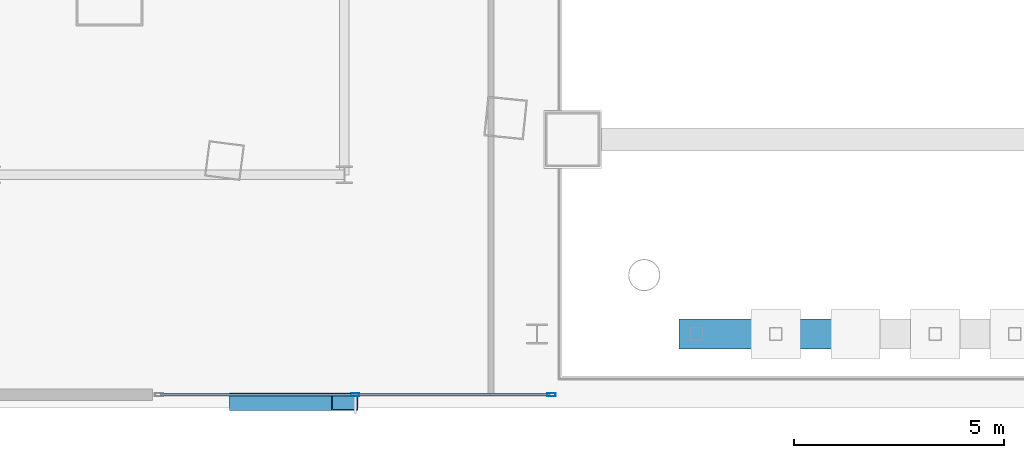
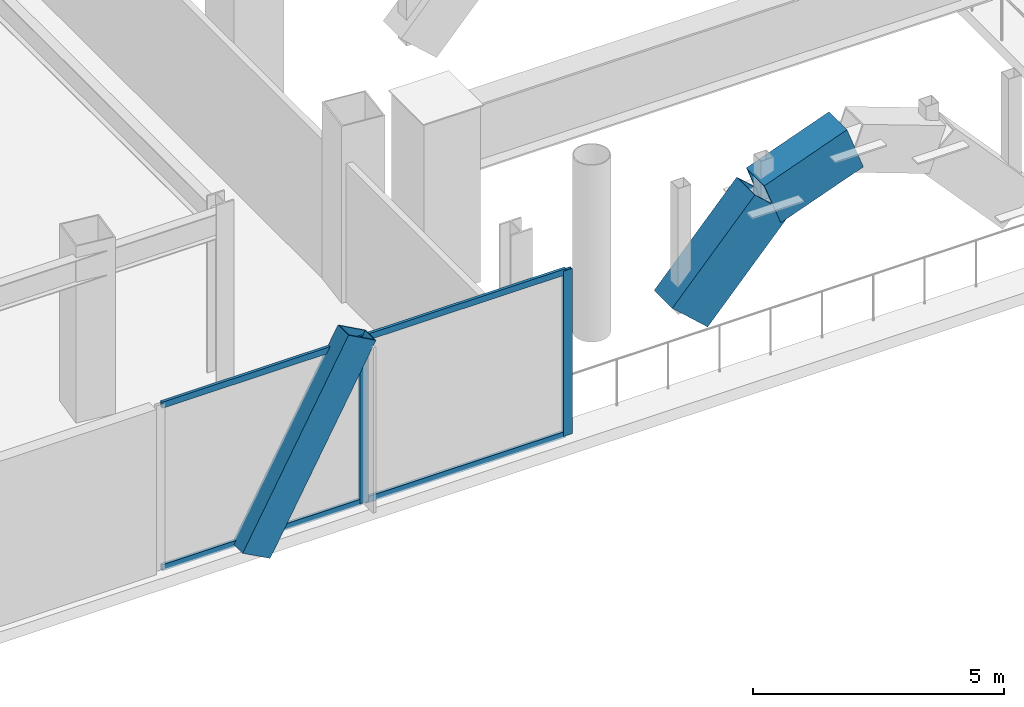
# One storey, part 8 of 42: 9 members, 1 element without a shape of its own.
"""IFC4 building model written with IfcOpenShell, lengths in metres."""

from ifc_helpers import new_model, si_unit, direction, frame, origin, origin_2d, place, context, subcontext, project, spatial, hollow_rectangle, extrude, material, layer, layer_set, material_profile, profile_set, type_object, element, aggregate, save


model = new_model("IFC4")

# Units and contexts
model_context = context("Model", 3, precision=1e-05, world=origin(), true_north=direction((0.0, 1.0)))
body_context = subcontext(model_context, "Body", "Model", "MODEL_VIEW")
ifc_project = project(units=[si_unit("LENGTHUNIT", "METRE"), si_unit("AREAUNIT", "SQUARE_METRE"), si_unit("VOLUMEUNIT", "CUBIC_METRE"), si_unit("PLANEANGLEUNIT", "RADIAN"), si_unit("MASSUNIT", "GRAM", prefix="KILO")], contexts=[model_context])

# Site, building, storey
site_placement = place(None, origin())
site = spatial("IfcSite", under=ifc_project, at=site_placement, CompositionType="ELEMENT")
building_placement = place(site_placement, origin())
building = spatial("IfcBuilding", under=site, at=building_placement, Name="Orvanel Arch Residences", CompositionType="ELEMENT")
storey_placement = place(building_placement, frame((0.0, 0.0, 9.800048828125)))
storey = spatial("IfcBuildingStorey", under=building, at=storey_placement, Name="L02", CompositionType="ELEMENT", Elevation=9.800048828125)

# Members
ifc_material_1 = material(Name="Structural steel AS/NZS 3678 Grade 350", Category="steel")
ifc_material_profile_1 = material_profile(ifc_material_1, hollow_rectangle(XDim=0.719970703125, YDim=1.10009765625, WallThickness=0.035888671875, at=origin_2d()), Name="BOX1100x720x36")
ifc_profile_set_1 = profile_set([ifc_material_profile_1], Name="Structural steel AS/NZS 3678 Grade 350")
member_type_1 = type_object("IfcMemberType", Name="AR-1100BOX-EXT", PredefinedType="USERDEFINED", material=ifc_profile_set_1)
member_1_placement = place(storey_placement, frame((28.199951171875, 2.199951171875, 0.962890625), z_axis=(0.67268569975, 0.0, 0.739928340687), x_axis=(0.0, 1.0, 0.0)))
element("IfcMember", 1, at=member_1_placement, inside=storey, type_object=member_type_1, Name="Monumental Podium Arch Rib SOUTH Segment 3", ObjectType="ARCH_SEGMENT", PredefinedType="USERDEFINED", context=body_context, shape_type="SweptSolid", body=[
    extrude(hollow_rectangle(XDim=0.719970703125, YDim=1.10009765625, WallThickness=0.035888671875, at=origin_2d()), origin(), (0.0, 0.0, 1.0), 2.82470703125),
])
member_2_placement = place(storey_placement, frame((30.10009765625, 2.199951171875, 3.052978515625), z_axis=(0.938813913129, 0.0, 0.344424790797), x_axis=(0.0, 1.0, 0.0)))
element("IfcMember", 2, at=member_2_placement, inside=storey, type_object=member_type_1, Name="Monumental Podium Arch Rib SOUTH Segment 4", ObjectType="ARCH_SEGMENT", PredefinedType="USERDEFINED", context=body_context, shape_type="SweptSolid", body=[
    extrude(hollow_rectangle(XDim=0.719970703125, YDim=1.10009765625, WallThickness=0.035888671875, at=origin_2d()), origin(), (0.0, 0.0, 1.0), 2.023681640625),
])
ifc_material_profile_2 = material_profile(ifc_material_1, hollow_rectangle(XDim=0.419921875, YDim=0.719970703125, WallThickness=0.02490234375, at=origin_2d()), Name="RHS720x420x25")
ifc_profile_set_2 = profile_set([ifc_material_profile_2], Name="Structural steel AS/NZS 3678 Grade 350")
member_type_2 = type_object("IfcMemberType", Name="BR-720RHS-EXT", PredefinedType="BRACE", material=ifc_profile_set_2)
member_3_placement = place(storey_placement, frame((17.381103515625, 0.580078125, -0.150146484375), z_axis=(0.479981364724, 0.0, 0.877278684066), x_axis=(0.0, 1.0, 0.0)))
element("IfcMember", 3, at=member_3_placement, inside=storey, type_object=member_type_2, Name="L02 Podium Multi-Storey V-Strut Pair SW Leg 2", PredefinedType="BRACE", context=body_context, shape_type="SweptSolid", body=[
    extrude(hollow_rectangle(XDim=0.419921875, YDim=0.719970703125, WallThickness=0.02490234375, at=origin_2d()), origin(), (0.0, 0.0, 1.0), 5.07275390625),
])

# Curtain wall, members
ifc_material_2 = material(Name="Bronze-anodised aluminium AA6063-T6", Category="aluminium")
ifc_layer = layer(ifc_material_2, 0.199951171875)
ifc_layer_set = layer_set([ifc_layer], Name="Bronze-anodised aluminium AA6063-T6")
curtain_wall_type = type_object("IfcCurtainWallType", Name="CW1-POD-SYS", PredefinedType="NOTDEFINED", material=ifc_layer_set)
curtain_wall_placement = place(storey_placement, origin())
curtain_wall = element("IfcCurtainWall", 4, at=curtain_wall_placement, inside=storey, type_object=curtain_wall_type, Name="L02 CW1-POD-SYS Unitised Curtain Wall", PredefinedType="NOTDEFINED")
ifc_material_profile_3 = material_profile(ifc_material_2, hollow_rectangle(XDim=0.074951171875, YDim=0.199951171875, WallThickness=0.0048828125, at=origin_2d()), Name="ALU200x75x5")
ifc_profile_set_3 = profile_set([ifc_material_profile_3], Name="Bronze-anodised aluminium AA6063-T6")
member_type_3 = type_object("IfcMemberType", Name="MUL-200x75", PredefinedType="MULLION", material=ifc_profile_set_3)
member_4_placement = place(storey_placement, frame((20.06005859375, 0.75, 0.0), z_axis=(0.0, 0.0, 1.0), x_axis=(0.0, 1.0, 0.0)))
member_4 = element("IfcMember", 5, at=member_4_placement, type_object=member_type_3, Name="CW-S1 mullion 2", PredefinedType="MULLION", context=body_context, shape_type="SweptSolid", body=[
    extrude(hollow_rectangle(XDim=0.074951171875, YDim=0.199951171875, WallThickness=0.0048828125, at=origin_2d()), origin(), (0.0, 0.0, 1.0), 4.02001953125),
])
member_5_placement = place(storey_placement, frame((24.742431640625, 0.75, 0.0), z_axis=(0.0, 0.0, 1.0), x_axis=(0.0, 1.0, 0.0)))
member_5 = element("IfcMember", 6, at=member_5_placement, type_object=member_type_3, Name="CW-S1 mullion 3", PredefinedType="MULLION", context=body_context, shape_type="SweptSolid", body=[
    extrude(hollow_rectangle(XDim=0.074951171875, YDim=0.199951171875, WallThickness=0.0048828125, at=origin_2d()), origin(), (0.0, 0.0, 1.0), 4.02001953125),
])
ifc_material_profile_4 = material_profile(ifc_material_2, hollow_rectangle(XDim=0.06494140625, YDim=0.14990234375, WallThickness=0.00390625, at=origin_2d()), Name="ALU150x65x4")
ifc_profile_set_4 = profile_set([ifc_material_profile_4], Name="Bronze-anodised aluminium AA6063-T6")
member_type_4 = type_object("IfcMemberType", Name="TRN-150x65", PredefinedType="USERDEFINED", material=ifc_profile_set_4)
member_6_placement = place(storey_placement, frame((15.4150390625, 0.75, 0.032470703125), z_axis=(1.0, 0.0, 0.0), x_axis=(0.0, 1.0, 0.0)))
member_6 = element("IfcMember", 7, at=member_6_placement, type_object=member_type_4, Name="CW-S1 transom 1.1", ObjectType="TRANSOM", PredefinedType="USERDEFINED", context=body_context, shape_type="SweptSolid", body=[
    extrude(hollow_rectangle(XDim=0.06494140625, YDim=0.14990234375, WallThickness=0.00390625, at=origin_2d()), origin(), (0.0, 0.0, 1.0), 4.607421875),
])
member_7_placement = place(storey_placement, frame((15.4150390625, 0.75, 3.987548828125), z_axis=(1.0, 0.0, 0.0), x_axis=(0.0, 1.0, 0.0)))
member_7 = element("IfcMember", 8, at=member_7_placement, type_object=member_type_4, Name="CW-S1 transom 1.2", ObjectType="TRANSOM", PredefinedType="USERDEFINED", context=body_context, shape_type="SweptSolid", body=[
    extrude(hollow_rectangle(XDim=0.06494140625, YDim=0.14990234375, WallThickness=0.00390625, at=origin_2d()), origin(), (0.0, 0.0, 1.0), 4.607421875),
])
member_8_placement = place(storey_placement, frame((20.097412109375, 0.75, 0.032470703125), z_axis=(1.0, 0.0, 0.0), x_axis=(0.0, 1.0, 0.0)))
member_8 = element("IfcMember", 9, at=member_8_placement, type_object=member_type_4, Name="CW-S1 transom 2.1", ObjectType="TRANSOM", PredefinedType="USERDEFINED", context=body_context, shape_type="SweptSolid", body=[
    extrude(hollow_rectangle(XDim=0.06494140625, YDim=0.14990234375, WallThickness=0.00390625, at=origin_2d()), origin(), (0.0, 0.0, 1.0), 4.607666015625),
])
member_9_placement = place(storey_placement, frame((20.097412109375, 0.75, 3.987548828125), z_axis=(1.0, 0.0, 0.0), x_axis=(0.0, 1.0, 0.0)))
member_9 = element("IfcMember", 10, at=member_9_placement, type_object=member_type_4, Name="CW-S1 transom 2.2", ObjectType="TRANSOM", PredefinedType="USERDEFINED", context=body_context, shape_type="SweptSolid", body=[
    extrude(hollow_rectangle(XDim=0.06494140625, YDim=0.14990234375, WallThickness=0.00390625, at=origin_2d()), origin(), (0.0, 0.0, 1.0), 4.607666015625),
])
aggregate(curtain_wall, [member_4, member_5, member_6, member_7, member_8, member_9])

save(model, "model.ifc")
